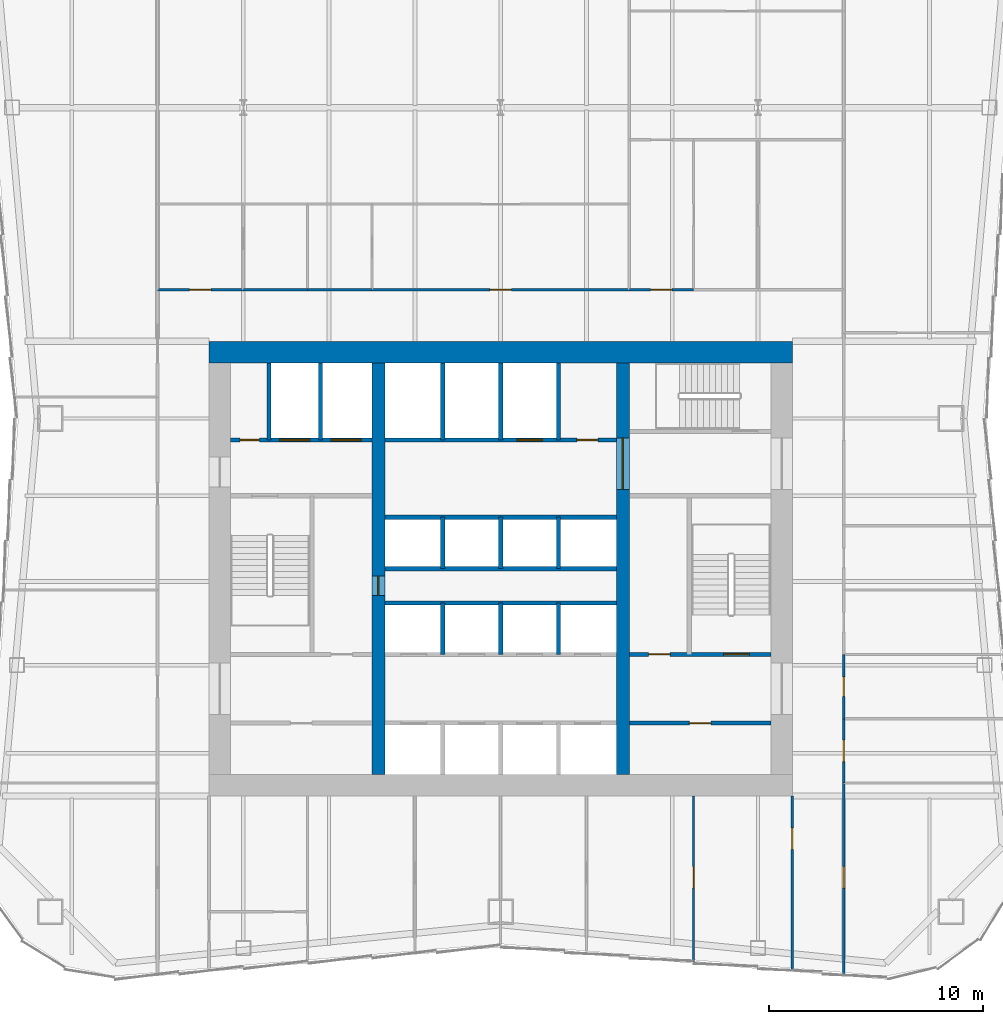
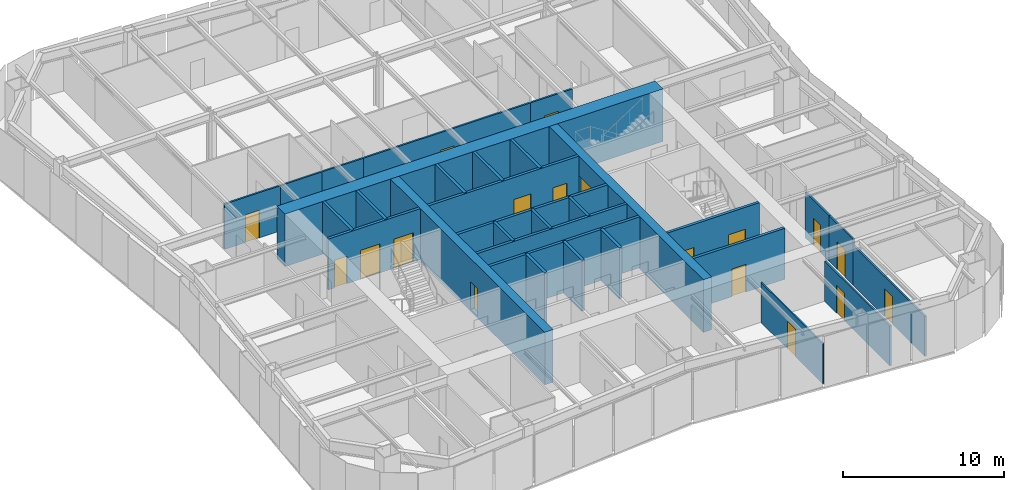
# One storey, part 5 of 8: 31 walls, 18 doors, 18 openings.
"""IFC4 building model written with IfcOpenShell, lengths in metres."""

from ifc_helpers import new_model, si_unit, direction, frame, frame_2d, origin, place, context, subcontext, project, spatial, rectangle, extrude, material, layer, layer_set, type_object, element, fill, save


model = new_model("IFC4")

# Units and contexts
model_context = context("Model", 3, precision=1e-05, world=origin(), true_north=direction((0.0, 1.0)))
body_context = subcontext(model_context, "Body", "Model", "MODEL_VIEW")
ifc_project = project(units=[si_unit("LENGTHUNIT", "METRE"), si_unit("AREAUNIT", "SQUARE_METRE"), si_unit("VOLUMEUNIT", "CUBIC_METRE"), si_unit("PLANEANGLEUNIT", "RADIAN"), si_unit("MASSUNIT", "GRAM", prefix="KILO")], contexts=[model_context])

# Site, building, storey
site_placement = place(None, origin())
site = spatial("IfcSite", under=ifc_project, at=site_placement, CompositionType="ELEMENT")
building_placement = place(site_placement, origin())
building = spatial("IfcBuilding", under=site, at=building_placement, Name="Verdant Reach Tower", CompositionType="ELEMENT")
storey_placement = place(building_placement, frame((0.0, 0.0, 158.0)))
storey = spatial("IfcBuildingStorey", under=building, at=storey_placement, Name="L36", CompositionType="ELEMENT", Elevation=158.0)

# Wall, opening, door
ifc_material_1 = material(Name="Gypsum board on steel studs", Category="steel")
ifc_layer_1 = layer(ifc_material_1, 0.199951171875)
ifc_layer_set_1 = layer_set([ifc_layer_1], Name="CO-WALL-ROOM")
wall_type_1 = type_object("IfcWallType", Name="CO-WALL-ROOM", PredefinedType="PARTITIONING", material=ifc_layer_set_1)
wall_1_placement = place(storey_placement, frame((6.0, 20.800048828125, 0.0), z_axis=(0.0, 0.0, 1.0), x_axis=(1.0, 0.0, 0.0)))
wall_1 = element("IfcWall", 1, at=wall_1_placement, inside=storey, type_object=wall_type_1, Name="Core partition, L36", PredefinedType="PARTITIONING", context=body_context, shape_type="SweptSolid", body=[
    extrude(rectangle(XDim=6.60009765625, YDim=0.199951171875, at=frame_2d((3.300048828125, 0.0))), origin(), (0.0, 0.0, 1.0), 3.8701171875),
])
opening_1_placement = place(wall_1_placement, frame((2.800048828125, 0.0, 0.0)))
opening_1 = element("IfcOpeningElement", 2, at=opening_1_placement, cuts=wall_1, Name="Opening CD", PredefinedType="OPENING", context=body_context, shape_type="SweptSolid", body=[
    extrude(rectangle(XDim=1.0, YDim=2.10009765625, at=frame_2d((0.5, 1.050048828125))), frame((0.0, 0.10986328125, 0.0), z_axis=(0.0, -1.0, 0.0), x_axis=(1.0, 0.0, 0.0)), (0.0, 0.0, 1.0), 0.219970703125),
])
ifc_material_2 = material(Name="Timber", Category="wood")
door_type_1 = type_object("IfcDoorType", Name="CO-DOOR-ROOM", OperationType="NOTDEFINED", PredefinedType="DOOR", material=ifc_material_2)
door_1_placement = place(opening_1_placement, origin())
door_1 = element("IfcDoor", 3, at=door_1_placement, inside=storey, type_object=door_type_1, Name="Core room door, L36", OperationType="SINGLE_SWING_RIGHT", OverallHeight=2.10009765625, OverallWidth=1.0, PredefinedType="DOOR", context=body_context, shape_type="SweptSolid", body=[
    extrude(rectangle(XDim=1.0, YDim=2.10009765625, at=frame_2d((0.5, 1.050048828125))), frame((0.0, 0.02490234375, 0.0), z_axis=(0.0, -1.0, 0.0), x_axis=(1.0, 0.0, 0.0)), (0.0, 0.0, 1.0), 0.050048828125),
])
fill(opening_1, door_1)

# Walls
ifc_material_3 = material(Name="Concrete C40/50", Category="concrete")
ifc_layer_2 = layer(ifc_material_3, 0.199951171875)
ifc_layer_set_2 = layer_set([ifc_layer_2], Name="CO-WALL-SHAFT")
wall_type_2 = type_object("IfcWallType", Name="CO-WALL-SHAFT", PredefinedType="PARTITIONING", material=ifc_layer_set_2)
for number, where, z_axis, x_axis, name in (
    (4, (-5.39990234375, 26.39990234375, 0.0), (0.0, 0.0, 1.0), (1.0, 0.0, 0.0), "Lift shaft wall, L36"),
    (5, (-5.39990234375, 28.0, 0.0), (0.0, 0.0, 1.0), (1.0, 0.0, 0.0), "Lift shaft wall, L36"),
    (6, (-5.39990234375, 30.39990234375, 0.0), (0.0, 0.0, 1.0), (1.0, 0.0, 0.0), "Lift shaft wall, L36"),
):
    element("IfcWall", number, at=place(storey_placement, frame(where, z_axis=z_axis, x_axis=x_axis)), inside=storey, type_object=wall_type_2, Name=name, PredefinedType="PARTITIONING", context=body_context, shape_type="SweptSolid", body=[
        extrude(rectangle(XDim=10.7998046875, YDim=0.199951171875, at=frame_2d((5.39990234375, 0.0))), origin(), (0.0, 0.0, 1.0), 3.8701171875),
    ])

# Wall, openings, doors
wall_2_placement = place(storey_placement, frame((-12.60009765625, 34.0, 0.0), z_axis=(0.0, 0.0, 1.0), x_axis=(1.0, 0.0, 0.0)))
wall_2 = element("IfcWall", 7, at=wall_2_placement, inside=storey, type_object=wall_type_2, Name="Lift shaft wall, L36", PredefinedType="PARTITIONING", context=body_context, shape_type="SweptSolid", body=[
    extrude(rectangle(XDim=6.60009765625, YDim=0.199951171875, at=frame_2d((3.300048828125, 0.0))), origin(), (0.0, 0.0, 1.0), 3.8701171875),
])
opening_2_placement = place(wall_2_placement, frame((4.699951171875, 0.0, 0.0)))
opening_2 = element("IfcOpeningElement", 8, at=opening_2_placement, cuts=wall_2, Name="Opening LD-F1", PredefinedType="OPENING", context=body_context, shape_type="SweptSolid", body=[
    extrude(rectangle(XDim=1.39990234375, YDim=2.199951171875, at=frame_2d((0.699951171875, 1.10009765625))), frame((0.0, 0.10986328125, 0.0), z_axis=(0.0, -1.0, 0.0), x_axis=(1.0, 0.0, 0.0)), (0.0, 0.0, 1.0), 0.219970703125),
])
opening_3_placement = place(wall_2_placement, frame((2.300048828125, 0.0, 0.0)))
opening_3 = element("IfcOpeningElement", 9, at=opening_3_placement, cuts=wall_2, Name="Opening LD-F2", PredefinedType="OPENING", context=body_context, shape_type="SweptSolid", body=[
    extrude(rectangle(XDim=1.39990234375, YDim=2.199951171875, at=frame_2d((0.699951171875, 1.10009765625))), frame((0.0, 0.10986328125, 0.0), z_axis=(0.0, -1.0, 0.0), x_axis=(1.0, 0.0, 0.0)), (0.0, 0.0, 1.0), 0.219970703125),
])
opening_4_placement = place(wall_2_placement, frame((0.449951171875, 0.0, 0.0)))
opening_4 = element("IfcOpeningElement", 10, at=opening_4_placement, cuts=wall_2, Name="Opening RD", PredefinedType="OPENING", context=body_context, shape_type="SweptSolid", body=[
    extrude(rectangle(XDim=0.89990234375, YDim=2.10009765625, at=frame_2d((0.449951171875, 1.050048828125))), frame((0.0, 0.10986328125, 0.0), z_axis=(0.0, -1.0, 0.0), x_axis=(1.0, 0.0, 0.0)), (0.0, 0.0, 1.0), 0.219970703125),
])
ifc_material_4 = material(Name="Stainless steel", Category="steel")
door_type_2 = type_object("IfcDoorType", Name="CO-DOOR-LANDING-FF", OperationType="SLIDING_TO_LEFT", PredefinedType="DOOR", material=ifc_material_4)
door_2_placement = place(opening_2_placement, origin())
door_2 = element("IfcDoor", 11, at=door_2_placement, inside=storey, type_object=door_type_2, Name="Landing door F1, L36", OperationType="SLIDING_TO_LEFT", OverallHeight=2.199951171875, OverallWidth=1.39990234375, PredefinedType="DOOR", context=body_context, shape_type="SweptSolid", body=[
    extrude(rectangle(XDim=1.39990234375, YDim=2.199951171875, at=frame_2d((0.699951171875, 1.10009765625))), frame((0.0, 0.02490234375, 0.0), z_axis=(0.0, -1.0, 0.0), x_axis=(1.0, 0.0, 0.0)), (0.0, 0.0, 1.0), 0.050048828125),
])
fill(opening_2, door_2)
door_3_placement = place(opening_3_placement, origin())
door_3 = element("IfcDoor", 12, at=door_3_placement, inside=storey, type_object=door_type_2, Name="Landing door F2, L36", OperationType="SLIDING_TO_LEFT", OverallHeight=2.199951171875, OverallWidth=1.39990234375, PredefinedType="DOOR", context=body_context, shape_type="SweptSolid", body=[
    extrude(rectangle(XDim=1.39990234375, YDim=2.199951171875, at=frame_2d((0.699951171875, 1.10009765625))), frame((0.0, 0.02490234375, 0.0), z_axis=(0.0, -1.0, 0.0), x_axis=(1.0, 0.0, 0.0)), (0.0, 0.0, 1.0), 0.050048828125),
])
fill(opening_3, door_3)
ifc_material_5 = material(Name="Steel", Category="steel")
door_type_3 = type_object("IfcDoorType", Name="CO-DOOR-RISER", OperationType="NOTDEFINED", PredefinedType="DOOR", material=ifc_material_5)
door_4_placement = place(opening_4_placement, origin())
door_4 = element("IfcDoor", 13, at=door_4_placement, inside=storey, type_object=door_type_3, Name="Core room door, L36", OperationType="SINGLE_SWING_RIGHT", OverallHeight=2.10009765625, OverallWidth=0.89990234375, PredefinedType="DOOR", context=body_context, shape_type="SweptSolid", body=[
    extrude(rectangle(XDim=0.89990234375, YDim=2.10009765625, at=frame_2d((0.449951171875, 1.050048828125))), frame((0.0, 0.02490234375, 0.0), z_axis=(0.0, -1.0, 0.0), x_axis=(1.0, 0.0, 0.0)), (0.0, 0.0, 1.0), 0.050048828125),
])
fill(opening_4, door_4)

wall_3_placement = place(storey_placement, frame((-5.39990234375, 34.0, 0.0), z_axis=(0.0, 0.0, 1.0), x_axis=(1.0, 0.0, 0.0)))
wall_3 = element("IfcWall", 14, at=wall_3_placement, inside=storey, type_object=wall_type_2, Name="Lift shaft wall, L36", PredefinedType="PARTITIONING", context=body_context, shape_type="SweptSolid", body=[
    extrude(rectangle(XDim=10.7998046875, YDim=0.199951171875, at=frame_2d((5.39990234375, 0.0))), origin(), (0.0, 0.0, 1.0), 3.8701171875),
])
opening_5_placement = place(wall_3_placement, frame((6.14990234375, 0.0, 0.0)))
opening_5 = element("IfcOpeningElement", 15, at=opening_5_placement, cuts=wall_3, Name="Opening LD-SL1", PredefinedType="OPENING", context=body_context, shape_type="SweptSolid", body=[
    extrude(rectangle(XDim=1.199951171875, YDim=2.199951171875, at=frame_2d((0.60009765625, 1.10009765625))), frame((0.0, 0.10986328125, 0.0), z_axis=(0.0, -1.0, 0.0), x_axis=(1.0, 0.0, 0.0)), (0.0, 0.0, 1.0), 0.219970703125),
])
opening_6_placement = place(wall_3_placement, frame((8.949951171875, 0.0, 0.0)))
opening_6 = element("IfcOpeningElement", 16, at=opening_6_placement, cuts=wall_3, Name="Opening CD", PredefinedType="OPENING", context=body_context, shape_type="SweptSolid", body=[
    extrude(rectangle(XDim=1.0, YDim=2.10009765625, at=frame_2d((0.5, 1.050048828125))), frame((0.0, 0.10986328125, 0.0), z_axis=(0.0, -1.0, 0.0), x_axis=(1.0, 0.0, 0.0)), (0.0, 0.0, 1.0), 0.219970703125),
])
door_type_4 = type_object("IfcDoorType", Name="CO-DOOR-LANDING", OperationType="SLIDING_TO_LEFT", PredefinedType="DOOR", material=ifc_material_4)
door_5_placement = place(opening_5_placement, origin())
door_5 = element("IfcDoor", 17, at=door_5_placement, inside=storey, type_object=door_type_4, Name="Landing door SL1, L36", OperationType="SLIDING_TO_LEFT", OverallHeight=2.199951171875, OverallWidth=1.199951171875, PredefinedType="DOOR", context=body_context, shape_type="SweptSolid", body=[
    extrude(rectangle(XDim=1.199951171875, YDim=2.199951171875, at=frame_2d((0.60009765625, 1.10009765625))), frame((0.0, 0.02490234375, 0.0), z_axis=(0.0, -1.0, 0.0), x_axis=(1.0, 0.0, 0.0)), (0.0, 0.0, 1.0), 0.050048828125),
])
fill(opening_5, door_5)
door_6_placement = place(opening_6_placement, origin())
door_6 = element("IfcDoor", 18, at=door_6_placement, inside=storey, type_object=door_type_1, Name="Core room door, L36", OperationType="SINGLE_SWING_LEFT", OverallHeight=2.10009765625, OverallWidth=1.0, PredefinedType="DOOR", context=body_context, shape_type="SweptSolid", body=[
    extrude(rectangle(XDim=1.0, YDim=2.10009765625, at=frame_2d((0.5, 1.050048828125))), frame((0.0, 0.02490234375, 0.0), z_axis=(0.0, -1.0, 0.0), x_axis=(1.0, 0.0, 0.0)), (0.0, 0.0, 1.0), 0.050048828125),
])
fill(opening_6, door_6)

# Walls
for number, where, z_axis, x_axis, name in (
    (19, (-10.800048828125, 34.0, 0.0), (0.0, 0.0, 1.0), (0.0, 1.0, 0.0), "Lift shaft wall, L36"),
    (20, (-8.39990234375, 34.0, 0.0), (0.0, 0.0, 1.0), (0.0, 1.0, 0.0), "Lift shaft wall, L36"),
):
    element("IfcWall", number, at=place(storey_placement, frame(where, z_axis=z_axis, x_axis=x_axis)), inside=storey, type_object=wall_type_2, Name=name, PredefinedType="PARTITIONING", context=body_context, shape_type="SweptSolid", body=[
        extrude(rectangle(XDim=3.60009765625, YDim=0.199951171875, at=frame_2d((1.800048828125, 0.0))), origin(), (0.0, 0.0, 1.0), 3.8701171875),
    ])
for number, where, z_axis, x_axis, name in (
    (21, (-2.699951171875, 24.0, 0.0), (0.0, 0.0, 1.0), (0.0, 1.0, 0.0), "Lift shaft wall, L36"),
    (22, (-2.699951171875, 28.0, 0.0), (0.0, 0.0, 1.0), (0.0, 1.0, 0.0), "Lift shaft wall, L36"),
):
    element("IfcWall", number, at=place(storey_placement, frame(where, z_axis=z_axis, x_axis=x_axis)), inside=storey, type_object=wall_type_2, Name=name, PredefinedType="PARTITIONING", context=body_context, shape_type="SweptSolid", body=[
        extrude(rectangle(XDim=2.39990234375, YDim=0.199951171875, at=frame_2d((1.199951171875, 0.0))), origin(), (0.0, 0.0, 1.0), 3.8701171875),
    ])
wall_4_placement = place(storey_placement, frame((-2.699951171875, 34.0, 0.0), z_axis=(0.0, 0.0, 1.0), x_axis=(0.0, 1.0, 0.0)))
element("IfcWall", 23, at=wall_4_placement, inside=storey, type_object=wall_type_2, Name="Lift shaft wall, L36", PredefinedType="PARTITIONING", context=body_context, shape_type="SweptSolid", body=[
    extrude(rectangle(XDim=3.60009765625, YDim=0.199951171875, at=frame_2d((1.800048828125, 0.0))), origin(), (0.0, 0.0, 1.0), 3.8701171875),
])
for number, where, z_axis, x_axis, name in (
    (24, (0.0, 24.0, 0.0), (0.0, 0.0, 1.0), (0.0, 1.0, 0.0), "Lift shaft wall, L36"),
    (25, (0.0, 28.0, 0.0), (0.0, 0.0, 1.0), (0.0, 1.0, 0.0), "Lift shaft wall, L36"),
):
    element("IfcWall", number, at=place(storey_placement, frame(where, z_axis=z_axis, x_axis=x_axis)), inside=storey, type_object=wall_type_2, Name=name, PredefinedType="PARTITIONING", context=body_context, shape_type="SweptSolid", body=[
        extrude(rectangle(XDim=2.39990234375, YDim=0.199951171875, at=frame_2d((1.199951171875, 0.0))), origin(), (0.0, 0.0, 1.0), 3.8701171875),
    ])
wall_5_placement = place(storey_placement, frame((0.0, 34.0, 0.0), z_axis=(0.0, 0.0, 1.0), x_axis=(0.0, 1.0, 0.0)))
element("IfcWall", 26, at=wall_5_placement, inside=storey, type_object=wall_type_2, Name="Lift shaft wall, L36", PredefinedType="PARTITIONING", context=body_context, shape_type="SweptSolid", body=[
    extrude(rectangle(XDim=3.60009765625, YDim=0.199951171875, at=frame_2d((1.800048828125, 0.0))), origin(), (0.0, 0.0, 1.0), 3.8701171875),
])
for number, where, z_axis, x_axis, name in (
    (27, (2.699951171875, 24.0, 0.0), (0.0, 0.0, 1.0), (0.0, 1.0, 0.0), "Lift shaft wall, L36"),
    (28, (2.699951171875, 28.0, 0.0), (0.0, 0.0, 1.0), (0.0, 1.0, 0.0), "Lift shaft wall, L36"),
):
    element("IfcWall", number, at=place(storey_placement, frame(where, z_axis=z_axis, x_axis=x_axis)), inside=storey, type_object=wall_type_2, Name=name, PredefinedType="PARTITIONING", context=body_context, shape_type="SweptSolid", body=[
        extrude(rectangle(XDim=2.39990234375, YDim=0.199951171875, at=frame_2d((1.199951171875, 0.0))), origin(), (0.0, 0.0, 1.0), 3.8701171875),
    ])
wall_6_placement = place(storey_placement, frame((2.699951171875, 34.0, 0.0), z_axis=(0.0, 0.0, 1.0), x_axis=(0.0, 1.0, 0.0)))
element("IfcWall", 29, at=wall_6_placement, inside=storey, type_object=wall_type_2, Name="Lift shaft wall, L36", PredefinedType="PARTITIONING", context=body_context, shape_type="SweptSolid", body=[
    extrude(rectangle(XDim=3.60009765625, YDim=0.199951171875, at=frame_2d((1.800048828125, 0.0))), origin(), (0.0, 0.0, 1.0), 3.8701171875),
])

# Wall, openings, doors
ifc_layer_3 = layer(ifc_material_3, 0.199951171875)
ifc_layer_set_3 = layer_set([ifc_layer_3], Name="CO-WALL-STAIR")
wall_type_3 = type_object("IfcWallType", Name="CO-WALL-STAIR", PredefinedType="PARTITIONING", material=ifc_layer_set_3)
wall_7_placement = place(storey_placement, frame((6.0, 24.0, 0.0), z_axis=(0.0, 0.0, 1.0), x_axis=(1.0, 0.0, 0.0)))
wall_7 = element("IfcWall", 30, at=wall_7_placement, inside=storey, type_object=wall_type_3, Name="Stair enclosure wall, L36", PredefinedType="PARTITIONING", context=body_context, shape_type="SweptSolid", body=[
    extrude(rectangle(XDim=6.60009765625, YDim=0.199951171875, at=frame_2d((3.300048828125, 0.0))), origin(), (0.0, 0.0, 1.0), 3.8701171875),
])
opening_7_placement = place(wall_7_placement, frame((0.89990234375, 0.0, 0.0)))
opening_7 = element("IfcOpeningElement", 31, at=opening_7_placement, cuts=wall_7, Name="Opening CD", PredefinedType="OPENING", context=body_context, shape_type="SweptSolid", body=[
    extrude(rectangle(XDim=1.0, YDim=2.10009765625, at=frame_2d((0.5, 1.050048828125))), frame((0.0, 0.10986328125, 0.0), z_axis=(0.0, -1.0, 0.0), x_axis=(1.0, 0.0, 0.0)), (0.0, 0.0, 1.0), 0.219970703125),
])
opening_8_placement = place(wall_7_placement, frame((4.39990234375, 0.0, 0.0)))
opening_8 = element("IfcOpeningElement", 32, at=opening_8_placement, cuts=wall_7, Name="Opening SD", PredefinedType="OPENING", context=body_context, shape_type="SweptSolid", body=[
    extrude(rectangle(XDim=1.199951171875, YDim=2.199951171875, at=frame_2d((0.60009765625, 1.10009765625))), frame((0.0, 0.10986328125, 0.0), z_axis=(0.0, -1.0, 0.0), x_axis=(1.0, 0.0, 0.0)), (0.0, 0.0, 1.0), 0.219970703125),
])
door_7_placement = place(opening_7_placement, origin())
door_7 = element("IfcDoor", 33, at=door_7_placement, inside=storey, type_object=door_type_1, Name="Core room door, L36", OperationType="SINGLE_SWING_LEFT", OverallHeight=2.10009765625, OverallWidth=1.0, PredefinedType="DOOR", context=body_context, shape_type="SweptSolid", body=[
    extrude(rectangle(XDim=1.0, YDim=2.10009765625, at=frame_2d((0.5, 1.050048828125))), frame((0.0, 0.02490234375, 0.0), z_axis=(0.0, -1.0, 0.0), x_axis=(1.0, 0.0, 0.0)), (0.0, 0.0, 1.0), 0.050048828125),
])
fill(opening_7, door_7)
door_type_5 = type_object("IfcDoorType", Name="CO-DOOR-STAIR", OperationType="NOTDEFINED", PredefinedType="DOOR", material=ifc_material_5)
door_8_placement = place(opening_8_placement, origin())
door_8 = element("IfcDoor", 34, at=door_8_placement, inside=storey, type_object=door_type_5, Name="Stair door, L36", OperationType="SINGLE_SWING_LEFT", OverallHeight=2.199951171875, OverallWidth=1.199951171875, PredefinedType="DOOR", context=body_context, shape_type="SweptSolid", body=[
    extrude(rectangle(XDim=1.199951171875, YDim=2.199951171875, at=frame_2d((0.60009765625, 1.10009765625))), frame((0.0, 0.02490234375, 0.0), z_axis=(0.0, -1.0, 0.0), x_axis=(1.0, 0.0, 0.0)), (0.0, 0.0, 1.0), 0.050048828125),
])
fill(opening_8, door_8)

# Wall, opening, door
ifc_layer_4 = layer(ifc_material_1, 0.10009765625)
ifc_layer_set_4 = layer_set([ifc_layer_4], Name="FL-W1 Partition 100")
wall_type_4 = type_object("IfcWallType", Name="FL-W1 Partition 100", PredefinedType="PARTITIONING", material=ifc_layer_set_4)
wall_8_placement = place(storey_placement, frame((9.0, 9.669921875, 0.0), z_axis=(0.0, 0.0, 1.0), x_axis=(0.0, 1.0, 0.0)))
wall_8 = element("IfcWall", 35, at=wall_8_placement, inside=storey, type_object=wall_type_4, Name="Partition 36.42", PredefinedType="PARTITIONING", context=body_context, shape_type="SweptSolid", body=[
    extrude(rectangle(XDim=7.72998046875, YDim=0.10009765625, at=frame_2d((3.864990234375, 0.0))), origin(), (0.0, 0.0, 1.0), 3.0400390625),
])
opening_9_placement = place(wall_8_placement, frame((3.43017578125, 0.0, 0.0)))
opening_9 = element("IfcOpeningElement", 36, at=opening_9_placement, cuts=wall_8, Name="Opening D3", PredefinedType="OPENING", context=body_context, shape_type="SweptSolid", body=[
    extrude(rectangle(XDim=1.0, YDim=2.10009765625, at=frame_2d((0.5, 1.050048828125))), frame((0.0, 0.06005859375, 0.0), z_axis=(0.0, -1.0, 0.0), x_axis=(1.0, 0.0, 0.0)), (0.0, 0.0, 1.0), 0.1201171875),
])
ifc_material_6 = material(Name="Painted timber door leaf", Category="wood")
door_type_6 = type_object("IfcDoorType", Name="FL-D3 Door 1000x2100", OperationType="NOTDEFINED", PredefinedType="DOOR", material=ifc_material_6)
door_9_placement = place(opening_9_placement, origin())
door_9 = element("IfcDoor", 37, at=door_9_placement, inside=storey, type_object=door_type_6, Name="Door 36-020", OperationType="SINGLE_SWING_RIGHT", OverallHeight=2.10009765625, OverallWidth=1.0, PredefinedType="DOOR", context=body_context, shape_type="SweptSolid", body=[
    extrude(rectangle(XDim=1.0, YDim=2.10009765625, at=frame_2d((0.5, 1.050048828125))), frame((0.0, 0.02490234375, 0.0), z_axis=(0.0, -1.0, 0.0), x_axis=(1.0, 0.0, 0.0)), (0.0, 0.0, 1.0), 0.050048828125),
])
fill(opening_9, door_9)

ifc_material_7 = material(Name="Gypsum board on steel studs, fire rated", Category="steel")
ifc_layer_5 = layer(ifc_material_7, 0.125)
ifc_layer_set_5 = layer_set([ifc_layer_5], Name="FL-W2 Corridor wall 125")
wall_type_5 = type_object("IfcWallType", Name="FL-W2 Corridor wall 125", PredefinedType="PARTITIONING", material=ifc_layer_set_5)
wall_9_placement = place(storey_placement, frame((16.0, 9.086669921875, 0.0), z_axis=(0.0, 0.0, 1.0), x_axis=(0.0, 1.0, 0.0)))
wall_9 = element("IfcWall", 38, at=wall_9_placement, inside=storey, type_object=wall_type_5, Name="Partition 36.05", PredefinedType="PARTITIONING", context=body_context, shape_type="SweptSolid", body=[
    extrude(rectangle(XDim=8.913330078125, YDim=0.125, at=frame_2d((4.45654296875, 0.0))), origin(), (0.0, 0.0, 1.0), 3.0400390625),
])
opening_10_placement = place(wall_9_placement, frame((4.021728515625, 0.0, 0.0)))
opening_10 = element("IfcOpeningElement", 39, at=opening_10_placement, cuts=wall_9, Name="Opening D2", PredefinedType="OPENING", context=body_context, shape_type="SweptSolid", body=[
    extrude(rectangle(XDim=1.0, YDim=2.10009765625, at=frame_2d((0.5, 1.050048828125))), frame((0.0, 0.072509765625, 0.0), z_axis=(0.0, -1.0, 0.0), x_axis=(1.0, 0.0, 0.0)), (0.0, 0.0, 1.0), 0.14501953125),
])
ifc_material_8 = material(Name="Timber door leaf, fire rated", Category="wood")
door_type_7 = type_object("IfcDoorType", Name="FL-D2 Entrance door 1000x2100 FD30", OperationType="NOTDEFINED", PredefinedType="DOOR", material=ifc_material_8)
door_10_placement = place(opening_10_placement, origin())
door_10 = element("IfcDoor", 40, at=door_10_placement, inside=storey, type_object=door_type_7, Name="Door 36-005", OperationType="SINGLE_SWING_RIGHT", OverallHeight=2.10009765625, OverallWidth=1.0, PredefinedType="DOOR", context=body_context, shape_type="SweptSolid", body=[
    extrude(rectangle(XDim=1.0, YDim=2.10009765625, at=frame_2d((0.5, 1.050048828125))), frame((0.0, 0.02490234375, 0.0), z_axis=(0.0, -1.0, 0.0), x_axis=(1.0, 0.0, 0.0)), (0.0, 0.0, 1.0), 0.050048828125),
])
fill(opening_10, door_10)

wall_10_placement = place(storey_placement, frame((16.0, 21.0, 0.0), z_axis=(0.0, 0.0, 1.0), x_axis=(0.0, -1.0, 0.0)))
wall_10 = element("IfcWall", 41, at=wall_10_placement, inside=storey, type_object=wall_type_5, Name="Partition 36.06", PredefinedType="PARTITIONING", context=body_context, shape_type="SweptSolid", body=[
    extrude(rectangle(XDim=3.0, YDim=0.125, at=frame_2d((1.5, 0.0))), origin(), (0.0, 0.0, 1.0), 3.47998046875),
])
opening_11_placement = place(wall_10_placement, frame((1.0, 0.0, 0.0)))
opening_11 = element("IfcOpeningElement", 42, at=opening_11_placement, cuts=wall_10, Name="Opening D2", PredefinedType="OPENING", context=body_context, shape_type="SweptSolid", body=[
    extrude(rectangle(XDim=1.0, YDim=2.10009765625, at=frame_2d((0.5, 1.050048828125))), frame((0.0, 0.072509765625, 0.0), z_axis=(0.0, -1.0, 0.0), x_axis=(1.0, 0.0, 0.0)), (0.0, 0.0, 1.0), 0.14501953125),
])
door_11_placement = place(opening_11_placement, origin())
door_11 = element("IfcDoor", 43, at=door_11_placement, inside=storey, type_object=door_type_7, Name="Door 36-006", OperationType="SINGLE_SWING_RIGHT", OverallHeight=2.10009765625, OverallWidth=1.0, PredefinedType="DOOR", context=body_context, shape_type="SweptSolid", body=[
    extrude(rectangle(XDim=1.0, YDim=2.10009765625, at=frame_2d((0.5, 1.050048828125))), frame((0.0, 0.02490234375, 0.0), z_axis=(0.0, -1.0, 0.0), x_axis=(1.0, 0.0, 0.0)), (0.0, 0.0, 1.0), 0.050048828125),
])
fill(opening_11, door_11)

wall_11_placement = place(storey_placement, frame((16.0, 24.0, 0.0), z_axis=(0.0, 0.0, 1.0), x_axis=(0.0, -1.0, 0.0)))
wall_11 = element("IfcWall", 44, at=wall_11_placement, inside=storey, type_object=wall_type_5, Name="Partition 36.07", PredefinedType="PARTITIONING", context=body_context, shape_type="SweptSolid", body=[
    extrude(rectangle(XDim=3.0, YDim=0.125, at=frame_2d((1.5, 0.0))), origin(), (0.0, 0.0, 1.0), 3.47998046875),
])
opening_12_placement = place(wall_11_placement, frame((1.050048828125, 0.0, 0.0)))
opening_12 = element("IfcOpeningElement", 45, at=opening_12_placement, cuts=wall_11, Name="Opening D1", PredefinedType="OPENING", context=body_context, shape_type="SweptSolid", body=[
    extrude(rectangle(XDim=0.89990234375, YDim=2.10009765625, at=frame_2d((0.449951171875, 1.050048828125))), frame((0.0, 0.072509765625, 0.0), z_axis=(0.0, -1.0, 0.0), x_axis=(1.0, 0.0, 0.0)), (0.0, 0.0, 1.0), 0.14501953125),
])
door_type_8 = type_object("IfcDoorType", Name="FL-D1 Door 900x2100", OperationType="NOTDEFINED", PredefinedType="DOOR", material=ifc_material_6)
door_12_placement = place(opening_12_placement, origin())
door_12 = element("IfcDoor", 46, at=door_12_placement, inside=storey, type_object=door_type_8, Name="Door 36-007", OperationType="SINGLE_SWING_LEFT", OverallHeight=2.10009765625, OverallWidth=0.89990234375, PredefinedType="DOOR", context=body_context, shape_type="SweptSolid", body=[
    extrude(rectangle(XDim=0.89990234375, YDim=2.10009765625, at=frame_2d((0.449951171875, 1.050048828125))), frame((0.0, 0.02490234375, 0.0), z_axis=(0.0, -1.0, 0.0), x_axis=(1.0, 0.0, 0.0)), (0.0, 0.0, 1.0), 0.050048828125),
])
fill(opening_12, door_12)

wall_12_placement = place(storey_placement, frame((13.60009765625, 9.28662109375, 0.0), z_axis=(0.0, 0.0, 1.0), x_axis=(0.0, 1.0, 0.0)))
wall_12 = element("IfcWall", 47, at=wall_12_placement, inside=storey, type_object=wall_type_5, Name="Partition 36.14", PredefinedType="PARTITIONING", context=body_context, shape_type="SweptSolid", body=[
    extrude(rectangle(XDim=8.11328125, YDim=0.125, at=frame_2d((4.056640625, 0.0))), origin(), (0.0, 0.0, 1.0), 3.0400390625),
])
opening_13_placement = place(wall_12_placement, frame((5.621826171875, 0.0, 0.0)))
opening_13 = element("IfcOpeningElement", 48, at=opening_13_placement, cuts=wall_12, Name="Opening D2", PredefinedType="OPENING", context=body_context, shape_type="SweptSolid", body=[
    extrude(rectangle(XDim=1.0, YDim=2.10009765625, at=frame_2d((0.5, 1.050048828125))), frame((0.0, 0.072509765625, 0.0), z_axis=(0.0, -1.0, 0.0), x_axis=(1.0, 0.0, 0.0)), (0.0, 0.0, 1.0), 0.14501953125),
])
door_13_placement = place(opening_13_placement, origin())
door_13 = element("IfcDoor", 49, at=door_13_placement, inside=storey, type_object=door_type_7, Name="Door 36-012", OperationType="SINGLE_SWING_RIGHT", OverallHeight=2.10009765625, OverallWidth=1.0, PredefinedType="DOOR", context=body_context, shape_type="SweptSolid", body=[
    extrude(rectangle(XDim=1.0, YDim=2.10009765625, at=frame_2d((0.5, 1.050048828125))), frame((0.0, 0.02490234375, 0.0), z_axis=(0.0, -1.0, 0.0), x_axis=(1.0, 0.0, 0.0)), (0.0, 0.0, 1.0), 0.050048828125),
])
fill(opening_13, door_13)

wall_13_placement = place(storey_placement, frame((-16.0, 41.0, 0.0), z_axis=(0.0, 0.0, 1.0), x_axis=(1.0, 0.0, 0.0)))
wall_13 = element("IfcWall", 50, at=wall_13_placement, inside=storey, type_object=wall_type_5, Name="Partition 36.15", PredefinedType="PARTITIONING", context=body_context, shape_type="SweptSolid", body=[
    extrude(rectangle(XDim=4.0, YDim=0.125, at=frame_2d((2.0, 0.0))), origin(), (0.0, 0.0, 1.0), 3.43994140625),
])
opening_14_placement = place(wall_13_placement, frame((1.5, 0.0, 0.0)))
opening_14 = element("IfcOpeningElement", 51, at=opening_14_placement, cuts=wall_13, Name="Opening D2", PredefinedType="OPENING", context=body_context, shape_type="SweptSolid", body=[
    extrude(rectangle(XDim=1.0, YDim=2.10009765625, at=frame_2d((0.5, 1.050048828125))), frame((0.0, 0.072509765625, 0.0), z_axis=(0.0, -1.0, 0.0), x_axis=(1.0, 0.0, 0.0)), (0.0, 0.0, 1.0), 0.14501953125),
])
door_14_placement = place(opening_14_placement, origin())
door_14 = element("IfcDoor", 52, at=door_14_placement, inside=storey, type_object=door_type_7, Name="Door 36-013", OperationType="SINGLE_SWING_LEFT", OverallHeight=2.10009765625, OverallWidth=1.0, PredefinedType="DOOR", context=body_context, shape_type="SweptSolid", body=[
    extrude(rectangle(XDim=1.0, YDim=2.10009765625, at=frame_2d((0.5, 1.050048828125))), frame((0.0, 0.02490234375, 0.0), z_axis=(0.0, -1.0, 0.0), x_axis=(1.0, 0.0, 0.0)), (0.0, 0.0, 1.0), 0.050048828125),
])
fill(opening_14, door_14)

# Walls
for number, where, z_axis, x_axis, name in (
    (53, (-9.0, 41.0, 0.0), (0.0, 0.0, 1.0), (-1.0, 0.0, 0.0), "Partition 36.16"),
    (54, (-6.0, 41.0, 0.0), (0.0, 0.0, 1.0), (-1.0, 0.0, 0.0), "Partition 36.17"),
):
    element("IfcWall", number, at=place(storey_placement, frame(where, z_axis=z_axis, x_axis=x_axis)), inside=storey, type_object=wall_type_5, Name=name, PredefinedType="PARTITIONING", context=body_context, shape_type="SweptSolid", body=[
        extrude(rectangle(XDim=3.0, YDim=0.125, at=frame_2d((1.5, 0.0))), origin(), (0.0, 0.0, 1.0), 3.43994140625),
    ])

# Wall, opening, door
wall_14_placement = place(storey_placement, frame((-6.0, 41.0, 0.0), z_axis=(0.0, 0.0, 1.0), x_axis=(1.0, 0.0, 0.0)))
wall_14 = element("IfcWall", 55, at=wall_14_placement, inside=storey, type_object=wall_type_5, Name="Partition 36.18", PredefinedType="PARTITIONING", context=body_context, shape_type="SweptSolid", body=[
    extrude(rectangle(XDim=12.0, YDim=0.125, at=frame_2d((6.0, 0.0))), origin(), (0.0, 0.0, 1.0), 3.43994140625),
])
opening_15_placement = place(wall_14_placement, frame((5.5, 0.0, 0.0)))
opening_15 = element("IfcOpeningElement", 56, at=opening_15_placement, cuts=wall_14, Name="Opening D2", PredefinedType="OPENING", context=body_context, shape_type="SweptSolid", body=[
    extrude(rectangle(XDim=1.0, YDim=2.10009765625, at=frame_2d((0.5, 1.050048828125))), frame((0.0, 0.072509765625, 0.0), z_axis=(0.0, -1.0, 0.0), x_axis=(1.0, 0.0, 0.0)), (0.0, 0.0, 1.0), 0.14501953125),
])
door_15_placement = place(opening_15_placement, origin())
door_15 = element("IfcDoor", 57, at=door_15_placement, inside=storey, type_object=door_type_7, Name="Door 36-014", OperationType="SINGLE_SWING_RIGHT", OverallHeight=2.10009765625, OverallWidth=1.0, PredefinedType="DOOR", context=body_context, shape_type="SweptSolid", body=[
    extrude(rectangle(XDim=1.0, YDim=2.10009765625, at=frame_2d((0.5, 1.050048828125))), frame((0.0, 0.02490234375, 0.0), z_axis=(0.0, -1.0, 0.0), x_axis=(1.0, 0.0, 0.0)), (0.0, 0.0, 1.0), 0.050048828125),
])
fill(opening_15, door_15)

wall_15_placement = place(storey_placement, frame((6.0, 41.0, 0.0), z_axis=(0.0, 0.0, 1.0), x_axis=(1.0, 0.0, 0.0)))
wall_15 = element("IfcWall", 58, at=wall_15_placement, inside=storey, type_object=wall_type_5, Name="Partition 36.19", PredefinedType="PARTITIONING", context=body_context, shape_type="SweptSolid", body=[
    extrude(rectangle(XDim=3.0, YDim=0.125, at=frame_2d((1.5, 0.0))), origin(), (0.0, 0.0, 1.0), 3.43994140625),
])
opening_16_placement = place(wall_15_placement, frame((1.0, 0.0, 0.0)))
opening_16 = element("IfcOpeningElement", 59, at=opening_16_placement, cuts=wall_15, Name="Opening D2", PredefinedType="OPENING", context=body_context, shape_type="SweptSolid", body=[
    extrude(rectangle(XDim=1.0, YDim=2.10009765625, at=frame_2d((0.5, 1.050048828125))), frame((0.0, 0.072509765625, 0.0), z_axis=(0.0, -1.0, 0.0), x_axis=(1.0, 0.0, 0.0)), (0.0, 0.0, 1.0), 0.14501953125),
])
door_16_placement = place(opening_16_placement, origin())
door_16 = element("IfcDoor", 60, at=door_16_placement, inside=storey, type_object=door_type_7, Name="Door 36-015", OperationType="SINGLE_SWING_LEFT", OverallHeight=2.10009765625, OverallWidth=1.0, PredefinedType="DOOR", context=body_context, shape_type="SweptSolid", body=[
    extrude(rectangle(XDim=1.0, YDim=2.10009765625, at=frame_2d((0.5, 1.050048828125))), frame((0.0, 0.02490234375, 0.0), z_axis=(0.0, -1.0, 0.0), x_axis=(1.0, 0.0, 0.0)), (0.0, 0.0, 1.0), 0.050048828125),
])
fill(opening_16, door_16)

# Wall
ifc_material_9 = material(Name="Concrete C70/85", Category="concrete")
ifc_layer_6 = layer(ifc_material_9, 1.0)
ifc_layer_set_6 = layer_set([ifc_layer_6], Name="ST-CORE-WALL-1000")
wall_type_6 = type_object("IfcWallType", Name="ST-CORE-WALL-1000", PredefinedType="SHEAR", material=ifc_layer_set_6)
wall_16_placement = place(storey_placement, frame((-13.60009765625, 38.10009765625, -0.1298828125), z_axis=(0.0, 0.0, 1.0), x_axis=(1.0, 0.0, 0.0)))
element("IfcWall", 61, at=wall_16_placement, inside=storey, type_object=wall_type_6, Name="Core wall N, L36", PredefinedType="SHEAR", context=body_context, shape_type="SweptSolid", body=[
    extrude(rectangle(XDim=27.2001953125, YDim=1.0, at=frame_2d((13.60009765625, 0.0))), origin(), (0.0, 0.0, 1.0), 4.0),
])

# Wall, opening, door
ifc_layer_7 = layer(ifc_material_9, 0.60009765625)
ifc_layer_set_7 = layer_set([ifc_layer_7], Name="ST-CORE-WALL-600")
wall_type_7 = type_object("IfcWallType", Name="ST-CORE-WALL-600", PredefinedType="SHEAR", material=ifc_layer_set_7)
wall_17_placement = place(storey_placement, frame((-5.699951171875, 18.39990234375, -0.1298828125), z_axis=(0.0, 0.0, 1.0), x_axis=(0.0, 1.0, 0.0)))
wall_17 = element("IfcWall", 62, at=wall_17_placement, inside=storey, type_object=wall_type_7, Name="Core wall XW, L36", PredefinedType="SHEAR", context=body_context, shape_type="SweptSolid", body=[
    extrude(rectangle(XDim=19.2001953125, YDim=0.60009765625, at=frame_2d((9.60009765625, 0.0))), origin(), (0.0, 0.0, 1.0), 4.0),
])
opening_17_placement = place(wall_17_placement, frame((8.35009765625, 0.0, 0.1298828125)))
opening_17 = element("IfcOpeningElement", 63, at=opening_17_placement, cuts=wall_17, Name="Opening RD", PredefinedType="OPENING", context=body_context, shape_type="SweptSolid", body=[
    extrude(rectangle(XDim=0.89990234375, YDim=2.10009765625, at=frame_2d((0.449951171875, 1.050048828125))), frame((0.0, 0.31005859375, 0.0), z_axis=(0.0, -1.0, 0.0), x_axis=(1.0, 0.0, 0.0)), (0.0, 0.0, 1.0), 0.6201171875),
])
door_17_placement = place(opening_17_placement, origin())
door_17 = element("IfcDoor", 64, at=door_17_placement, inside=storey, type_object=door_type_3, Name="Riser door, L36", OperationType="SINGLE_SWING_RIGHT", OverallHeight=2.10009765625, OverallWidth=0.89990234375, PredefinedType="DOOR", context=body_context, shape_type="SweptSolid", body=[
    extrude(rectangle(XDim=0.89990234375, YDim=2.10009765625, at=frame_2d((0.449951171875, 1.050048828125))), frame((0.0, 0.02490234375, 0.0), z_axis=(0.0, -1.0, 0.0), x_axis=(1.0, 0.0, 0.0)), (0.0, 0.0, 1.0), 0.050048828125),
])
fill(opening_17, door_17)

wall_18_placement = place(storey_placement, frame((5.699951171875, 18.39990234375, -0.1298828125), z_axis=(0.0, 0.0, 1.0), x_axis=(0.0, 1.0, 0.0)))
wall_18 = element("IfcWall", 65, at=wall_18_placement, inside=storey, type_object=wall_type_7, Name="Core wall XE, L36", PredefinedType="SHEAR", context=body_context, shape_type="SweptSolid", body=[
    extrude(rectangle(XDim=19.2001953125, YDim=0.60009765625, at=frame_2d((9.60009765625, 0.0))), origin(), (0.0, 0.0, 1.0), 4.0),
])
opening_18_placement = place(wall_18_placement, frame((13.300048828125, 0.0, 0.1298828125)))
opening_18 = element("IfcOpeningElement", 66, at=opening_18_placement, cuts=wall_18, Name="Opening LB", PredefinedType="OPENING", context=body_context, shape_type="SweptSolid", body=[
    extrude(rectangle(XDim=2.39990234375, YDim=2.39990234375, at=frame_2d((1.199951171875, 1.199951171875))), frame((0.0, 0.31005859375, 0.0), z_axis=(0.0, -1.0, 0.0), x_axis=(1.0, 0.0, 0.0)), (0.0, 0.0, 1.0), 0.6201171875),
])
ifc_material_10 = material(Name="Glass and steel", Category="steel")
door_type_9 = type_object("IfcDoorType", Name="CO-DOOR-LOBBY", OperationType="DOUBLE_DOOR_SINGLE_SWING", PredefinedType="DOOR", material=ifc_material_10)
door_18_placement = place(opening_18_placement, origin())
door_18 = element("IfcDoor", 67, at=door_18_placement, inside=storey, type_object=door_type_9, Name="Core entrance door, L36", OperationType="DOUBLE_DOOR_SINGLE_SWING", OverallHeight=2.39990234375, OverallWidth=2.39990234375, PredefinedType="DOOR", context=body_context, shape_type="SweptSolid", body=[
    extrude(rectangle(XDim=2.39990234375, YDim=2.39990234375, at=frame_2d((1.199951171875, 1.199951171875))), frame((0.0, 0.02490234375, 0.0), z_axis=(0.0, -1.0, 0.0), x_axis=(1.0, 0.0, 0.0)), (0.0, 0.0, 1.0), 0.050048828125),
])
fill(opening_18, door_18)

save(model, "model.ifc")
